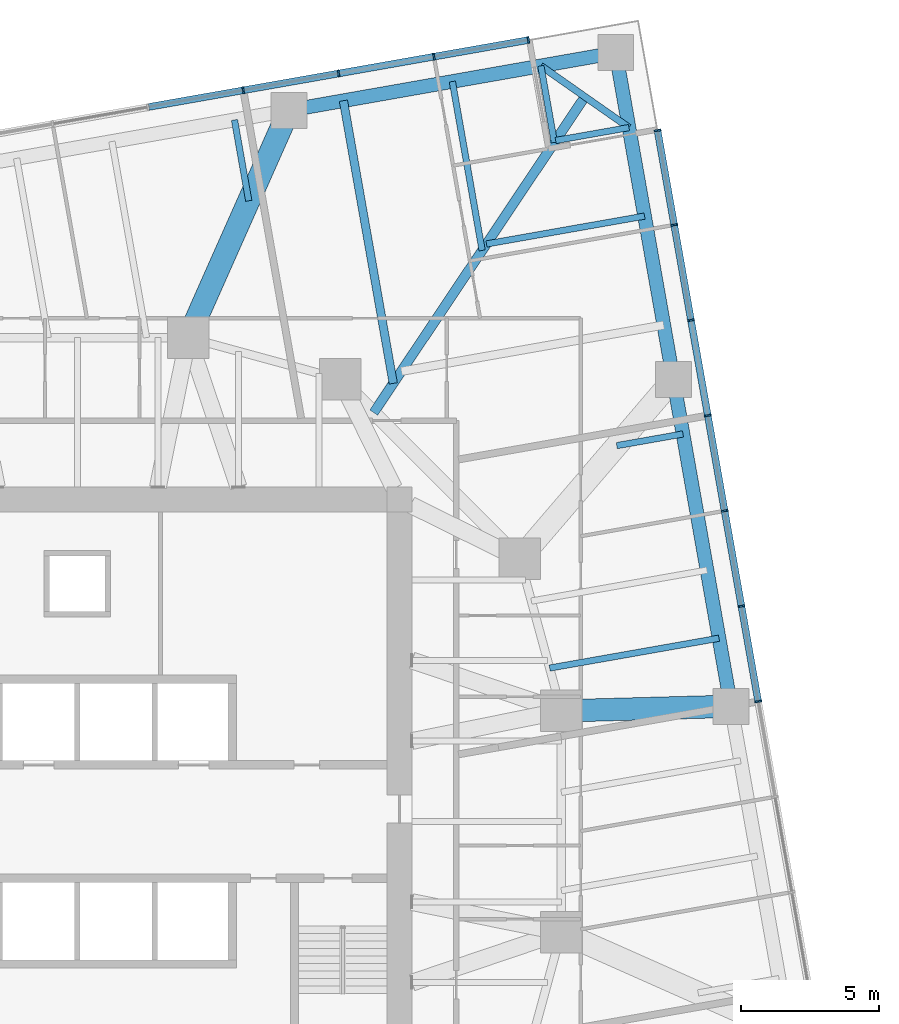
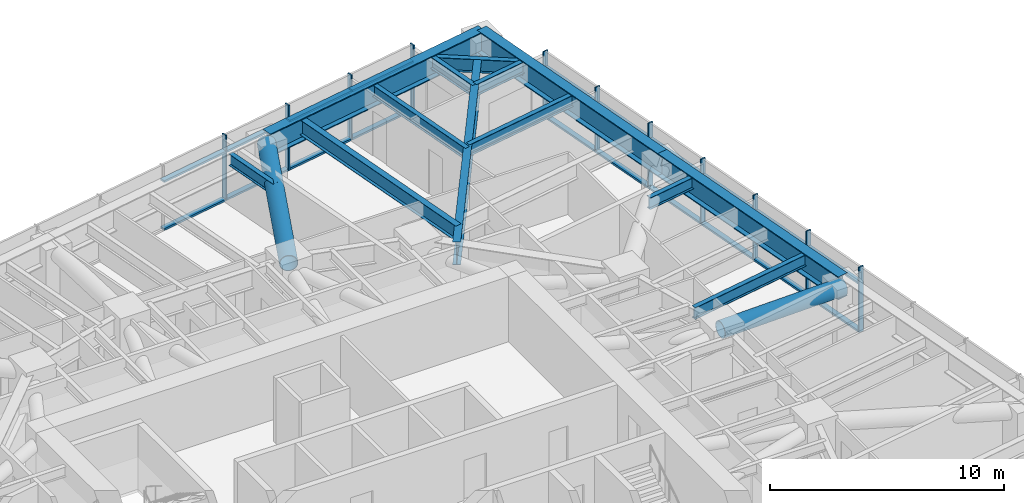
# One storey, part 8 of 17: 33 members, 13 beams, 2 elements without a shape of their own.
"""IFC4 building model written with IfcOpenShell, lengths in metres."""

from ifc_helpers import new_model, si_unit, direction, frame, origin, origin_2d, place, context, subcontext, project, spatial, rectangle, hollow_circle, i_section, extrude, material, material_profile, profile_set, type_object, element, aggregate, save


model = new_model("IFC4")

# Units and contexts
model_context = context("Model", 3, precision=1e-05, world=origin(), true_north=direction((0.0, 1.0)))
body_context = subcontext(model_context, "Body", "Model", "MODEL_VIEW")
ifc_project = project(units=[si_unit("LENGTHUNIT", "METRE"), si_unit("AREAUNIT", "SQUARE_METRE"), si_unit("VOLUMEUNIT", "CUBIC_METRE"), si_unit("PLANEANGLEUNIT", "RADIAN"), si_unit("MASSUNIT", "GRAM", prefix="KILO")], contexts=[model_context])

# Site, building, storey
site_placement = place(None, origin())
site = spatial("IfcSite", under=ifc_project, at=site_placement, CompositionType="ELEMENT")
building_placement = place(site_placement, origin())
building = spatial("IfcBuilding", under=site, at=building_placement, Name="Torsade Residences", CompositionType="ELEMENT")
storey_placement = place(building_placement, frame((0.0, 0.0, 103.199951171875)))
storey = spatial("IfcBuildingStorey", under=building, at=storey_placement, Name="L28", CompositionType="ELEMENT", Elevation=103.199951171875)

# Beams
ifc_material_1 = material(Name="Steel grade 300", Category="steel")
ifc_material_profile_1 = material_profile(ifc_material_1, i_section(OverallWidth=0.35009765625, OverallDepth=1.199951171875, WebThickness=0.01611328125, FlangeThickness=0.028076171875, at=origin_2d()), Name="1200WB278")
ifc_profile_set_1 = profile_set([ifc_material_profile_1], Name="Steel grade 300")
beam_type_1 = type_object("IfcBeamType", Name="CORNER GIRDER 1200WB278", PredefinedType="BEAM", material=ifc_profile_set_1)
beam_1_placement = place(storey_placement, frame((58.3525390625, 56.2099609375, 2.60009765625), z_axis=(-0.555847594236, -0.831284218533, 0.0), x_axis=(0.831284218533, -0.555847594236, 0.0)))
element("IfcBeam", 1, at=beam_1_placement, inside=storey, type_object=beam_type_1, Name="Corner girder 09 L29", PredefinedType="BEAM", context=body_context, shape_type="SweptSolid", body=[
    extrude(i_section(OverallWidth=0.35009765625, OverallDepth=1.199951171875, WebThickness=0.01611328125, FlangeThickness=0.028076171875, at=origin_2d()), origin(), (0.0, 0.0, 1.0), 13.742431640625),
])
ifc_material_2 = material(Name="Steel grade 300", Category="steel")
ifc_material_profile_2 = material_profile(ifc_material_2, i_section(OverallWidth=0.25, OverallDepth=0.699951171875, WebThickness=0.010009765625, FlangeThickness=0.02001953125, at=origin_2d()), Name="700WB130")
ifc_profile_set_2 = profile_set([ifc_material_profile_2], Name="Steel grade 300")
beam_type_2 = type_object("IfcBeamType", Name="CORNER TRIMMER 700WB130", PredefinedType="BEAM", material=ifc_profile_set_2)
beam_2_placement = place(storey_placement, frame((56.759521484375, 57.325439453125, 2.85009765625), z_axis=(0.819152285145, -0.573576092373, 0.0), x_axis=(0.573576092373, 0.819152285145, 0.0)))
element("IfcBeam", 2, at=beam_2_placement, inside=storey, type_object=beam_type_2, Name="Corner trimmer 09 L29", PredefinedType="BEAM", context=body_context, shape_type="SweptSolid", body=[
    extrude(i_section(OverallWidth=0.25, OverallDepth=0.699951171875, WebThickness=0.010009765625, FlangeThickness=0.02001953125, at=origin_2d()), origin(), (0.0, 0.0, 1.0), 3.88916015625),
])

# Curtain wall, members
ifc_material_3 = material(Name="Aluminium and glass", Category="aluminium")
curtain_wall_type = type_object("IfcCurtainWallType", Name="FRITTED GLASS CURTAIN WALL LOW ZONE", PredefinedType="NOTDEFINED", material=ifc_material_3)
curtain_wall_1_placement = place(storey_placement, origin())
curtain_wall_1 = element("IfcCurtainWall", 3, at=curtain_wall_1_placement, inside=storey, type_object=curtain_wall_type, Name="Curtain wall L28 face 4", PredefinedType="NOTDEFINED")
ifc_material_4 = material(Name="Aluminium mullion", Category="aluminium")
ifc_material_profile_3 = material_profile(ifc_material_4, rectangle(XDim=0.25, YDim=0.06494140625, at=origin_2d()), Name="CURTAIN WALL MULLION 250x65")
ifc_profile_set_3 = profile_set([ifc_material_profile_3], Name="Aluminium mullion")
member_type_1 = type_object("IfcMemberType", Name="CURTAIN WALL MULLION 250x65", PredefinedType="MULLION", material=ifc_profile_set_3)
member_1_placement = place(storey_placement, frame((64.6201171875, 34.34130859375, 0.0), z_axis=(0.0, 0.0, 1.0), x_axis=(-0.984807750372, -0.173648192638, 0.0)))
member_1 = element("IfcMember", 4, at=member_1_placement, type_object=member_type_1, Name="Mullion 7", PredefinedType="MULLION", context=body_context, shape_type="SweptSolid", body=[
    extrude(rectangle(XDim=0.25, YDim=0.06494140625, at=origin_2d()), origin(), (0.0, 0.0, 1.0), 3.400146484375),
])
member_2_placement = place(storey_placement, frame((64.012451171875, 37.7880859375, 0.0), z_axis=(0.0, 0.0, 1.0), x_axis=(-0.984807750372, -0.173648192638, 0.0)))
member_2 = element("IfcMember", 5, at=member_2_placement, type_object=member_type_1, Name="Mullion 8", PredefinedType="MULLION", context=body_context, shape_type="SweptSolid", body=[
    extrude(rectangle(XDim=0.25, YDim=0.06494140625, at=origin_2d()), origin(), (0.0, 0.0, 1.0), 3.400146484375),
])
member_3_placement = place(storey_placement, frame((63.404541015625, 41.23486328125, 0.0), z_axis=(0.0, 0.0, 1.0), x_axis=(-0.984807750372, -0.173648192638, 0.0)))
member_3 = element("IfcMember", 6, at=member_3_placement, type_object=member_type_1, Name="Mullion 9", PredefinedType="MULLION", context=body_context, shape_type="SweptSolid", body=[
    extrude(rectangle(XDim=0.25, YDim=0.06494140625, at=origin_2d()), origin(), (0.0, 0.0, 1.0), 3.400146484375),
])
member_4_placement = place(storey_placement, frame((62.796875, 44.681640625, 0.0), z_axis=(0.0, 0.0, 1.0), x_axis=(-0.984807750372, -0.173648192638, 0.0)))
member_4 = element("IfcMember", 7, at=member_4_placement, type_object=member_type_1, Name="Mullion 10", PredefinedType="MULLION", context=body_context, shape_type="SweptSolid", body=[
    extrude(rectangle(XDim=0.25, YDim=0.06494140625, at=origin_2d()), origin(), (0.0, 0.0, 1.0), 3.400146484375),
])
member_5_placement = place(storey_placement, frame((62.189208984375, 48.12841796875, 0.0), z_axis=(0.0, 0.0, 1.0), x_axis=(-0.984807750372, -0.173648192638, 0.0)))
member_5 = element("IfcMember", 8, at=member_5_placement, type_object=member_type_1, Name="Mullion 11", PredefinedType="MULLION", context=body_context, shape_type="SweptSolid", body=[
    extrude(rectangle(XDim=0.25, YDim=0.06494140625, at=origin_2d()), origin(), (0.0, 0.0, 1.0), 3.400146484375),
])
member_6_placement = place(storey_placement, frame((61.581298828125, 51.575439453125, 0.0), z_axis=(0.0, 0.0, 1.0), x_axis=(-0.984807750372, -0.173648192638, 0.0)))
member_6 = element("IfcMember", 9, at=member_6_placement, type_object=member_type_1, Name="Mullion 12", PredefinedType="MULLION", context=body_context, shape_type="SweptSolid", body=[
    extrude(rectangle(XDim=0.25, YDim=0.06494140625, at=origin_2d()), origin(), (0.0, 0.0, 1.0), 3.400146484375),
])
member_7_placement = place(storey_placement, frame((60.979248046875, 54.990234375, 0.0), z_axis=(0.0, 0.0, 1.0), x_axis=(-0.984807750372, -0.173648192638, 0.0)))
member_7 = element("IfcMember", 10, at=member_7_placement, type_object=member_type_1, Name="Mullion 13", PredefinedType="MULLION", context=body_context, shape_type="SweptSolid", body=[
    extrude(rectangle(XDim=0.25, YDim=0.06494140625, at=origin_2d()), origin(), (0.0, 0.0, 1.0), 3.400146484375),
])

curtain_wall_2_placement = place(storey_placement, origin())
curtain_wall_2 = element("IfcCurtainWall", 11, at=curtain_wall_2_placement, inside=storey, type_object=curtain_wall_type, Name="Curtain wall L28 face 7", PredefinedType="NOTDEFINED")
member_8_placement = place(storey_placement, frame((56.307861328125, 58.26123046875, 0.0), z_axis=(0.0, 0.0, 1.0), x_axis=(0.173648192638, -0.984807750372, 0.0)))
member_8 = element("IfcMember", 12, at=member_8_placement, type_object=member_type_1, Name="Mullion 1", PredefinedType="MULLION", context=body_context, shape_type="SweptSolid", body=[
    extrude(rectangle(XDim=0.25, YDim=0.06494140625, at=origin_2d()), origin(), (0.0, 0.0, 1.0), 3.400146484375),
])
member_9_placement = place(storey_placement, frame((52.892822265625, 57.658935546875, 0.0), z_axis=(0.0, 0.0, 1.0), x_axis=(0.173648192638, -0.984807750372, 0.0)))
member_9 = element("IfcMember", 13, at=member_9_placement, type_object=member_type_1, Name="Mullion 2", PredefinedType="MULLION", context=body_context, shape_type="SweptSolid", body=[
    extrude(rectangle(XDim=0.25, YDim=0.06494140625, at=origin_2d()), origin(), (0.0, 0.0, 1.0), 3.400146484375),
])
member_10_placement = place(storey_placement, frame((49.446044921875, 57.05126953125, 0.0), z_axis=(0.0, 0.0, 1.0), x_axis=(0.173648192638, -0.984807750372, 0.0)))
member_10 = element("IfcMember", 14, at=member_10_placement, type_object=member_type_1, Name="Mullion 3", PredefinedType="MULLION", context=body_context, shape_type="SweptSolid", body=[
    extrude(rectangle(XDim=0.25, YDim=0.06494140625, at=origin_2d()), origin(), (0.0, 0.0, 1.0), 3.400146484375),
])
member_11_placement = place(storey_placement, frame((45.999267578125, 56.443603515625, 0.0), z_axis=(0.0, 0.0, 1.0), x_axis=(0.173648192638, -0.984807750372, 0.0)))
member_11 = element("IfcMember", 15, at=member_11_placement, type_object=member_type_1, Name="Mullion 4", PredefinedType="MULLION", context=body_context, shape_type="SweptSolid", body=[
    extrude(rectangle(XDim=0.25, YDim=0.06494140625, at=origin_2d()), origin(), (0.0, 0.0, 1.0), 3.400146484375),
])

# Member
ifc_material_5 = material(Name="Aluminium transom", Category="aluminium")
ifc_material_profile_4 = material_profile(ifc_material_5, rectangle(XDim=0.25, YDim=0.10009765625, at=origin_2d()), Name="CURTAIN WALL TRANSOM 250x100")
ifc_profile_set_4 = profile_set([ifc_material_profile_4], Name="Aluminium transom")
member_type_2 = type_object("IfcMemberType", Name="CURTAIN WALL TRANSOM 250x100", PredefinedType="USERDEFINED", material=ifc_profile_set_4)
member_12_placement = place(storey_placement, frame((64.614501953125, 34.373291015625, 0.050048828125), z_axis=(-0.17363531196, 0.984810021497, 0.0), x_axis=(-0.984810021497, -0.17363531196, 0.0)))
member_12 = element("IfcMember", 16, at=member_12_placement, type_object=member_type_2, Name="Transom 7.1", ObjectType="TRANSOM", PredefinedType="USERDEFINED", context=body_context, shape_type="SweptSolid", body=[
    extrude(rectangle(XDim=0.25, YDim=0.10009765625, at=origin_2d()), origin(), (0.0, 0.0, 1.0), 3.43505859375),
])

member_13_placement = place(storey_placement, frame((64.614501953125, 34.373291015625, 2.550048828125), z_axis=(-0.17363531196, 0.984810021497, 0.0), x_axis=(-0.984810021497, -0.17363531196, 0.0)))
member_13 = element("IfcMember", 17, at=member_13_placement, type_object=member_type_2, Name="Transom 7.2", ObjectType="TRANSOM", PredefinedType="USERDEFINED", context=body_context, shape_type="SweptSolid", body=[
    extrude(rectangle(XDim=0.25, YDim=0.10009765625, at=origin_2d()), origin(), (0.0, 0.0, 1.0), 3.43505859375),
])

member_14_placement = place(storey_placement, frame((64.0068359375, 37.820068359375, 0.050048828125), z_axis=(-0.17363531196, 0.984810021497, 0.0), x_axis=(-0.984810021497, -0.17363531196, 0.0)))
member_14 = element("IfcMember", 18, at=member_14_placement, type_object=member_type_2, Name="Transom 8.1", ObjectType="TRANSOM", PredefinedType="USERDEFINED", context=body_context, shape_type="SweptSolid", body=[
    extrude(rectangle(XDim=0.25, YDim=0.10009765625, at=origin_2d()), origin(), (0.0, 0.0, 1.0), 3.43505859375),
])

member_15_placement = place(storey_placement, frame((64.0068359375, 37.820068359375, 2.550048828125), z_axis=(-0.17363531196, 0.984810021497, 0.0), x_axis=(-0.984810021497, -0.17363531196, 0.0)))
member_15 = element("IfcMember", 19, at=member_15_placement, type_object=member_type_2, Name="Transom 8.2", ObjectType="TRANSOM", PredefinedType="USERDEFINED", context=body_context, shape_type="SweptSolid", body=[
    extrude(rectangle(XDim=0.25, YDim=0.10009765625, at=origin_2d()), origin(), (0.0, 0.0, 1.0), 3.43505859375),
])

member_16_placement = place(storey_placement, frame((63.39892578125, 41.266845703125, 0.050048828125), z_axis=(-0.17363531196, 0.984810021497, 0.0), x_axis=(-0.984810021497, -0.17363531196, 0.0)))
member_16 = element("IfcMember", 20, at=member_16_placement, type_object=member_type_2, Name="Transom 9.1", ObjectType="TRANSOM", PredefinedType="USERDEFINED", context=body_context, shape_type="SweptSolid", body=[
    extrude(rectangle(XDim=0.25, YDim=0.10009765625, at=origin_2d()), origin(), (0.0, 0.0, 1.0), 3.43505859375),
])

member_17_placement = place(storey_placement, frame((63.39892578125, 41.266845703125, 2.550048828125), z_axis=(-0.17363531196, 0.984810021497, 0.0), x_axis=(-0.984810021497, -0.17363531196, 0.0)))
member_17 = element("IfcMember", 21, at=member_17_placement, type_object=member_type_2, Name="Transom 9.2", ObjectType="TRANSOM", PredefinedType="USERDEFINED", context=body_context, shape_type="SweptSolid", body=[
    extrude(rectangle(XDim=0.25, YDim=0.10009765625, at=origin_2d()), origin(), (0.0, 0.0, 1.0), 3.43505859375),
])

member_18_placement = place(storey_placement, frame((62.791259765625, 44.713623046875, 0.050048828125), z_axis=(-0.17363531196, 0.984810021497, 0.0), x_axis=(-0.984810021497, -0.17363531196, 0.0)))
member_18 = element("IfcMember", 22, at=member_18_placement, type_object=member_type_2, Name="Transom 10.1", ObjectType="TRANSOM", PredefinedType="USERDEFINED", context=body_context, shape_type="SweptSolid", body=[
    extrude(rectangle(XDim=0.25, YDim=0.10009765625, at=origin_2d()), origin(), (0.0, 0.0, 1.0), 3.43505859375),
])

member_19_placement = place(storey_placement, frame((62.791259765625, 44.713623046875, 2.550048828125), z_axis=(-0.17363531196, 0.984810021497, 0.0), x_axis=(-0.984810021497, -0.17363531196, 0.0)))
member_19 = element("IfcMember", 23, at=member_19_placement, type_object=member_type_2, Name="Transom 10.2", ObjectType="TRANSOM", PredefinedType="USERDEFINED", context=body_context, shape_type="SweptSolid", body=[
    extrude(rectangle(XDim=0.25, YDim=0.10009765625, at=origin_2d()), origin(), (0.0, 0.0, 1.0), 3.43505859375),
])

member_20_placement = place(storey_placement, frame((62.18359375, 48.160400390625, 0.050048828125), z_axis=(-0.173704242465, 0.98479786563, 0.0), x_axis=(-0.98479786563, -0.173704242465, 0.0)))
member_20 = element("IfcMember", 24, at=member_20_placement, type_object=member_type_2, Name="Transom 11.1", ObjectType="TRANSOM", PredefinedType="USERDEFINED", context=body_context, shape_type="SweptSolid", body=[
    extrude(rectangle(XDim=0.25, YDim=0.10009765625, at=origin_2d()), origin(), (0.0, 0.0, 1.0), 3.43505859375),
])

member_21_placement = place(storey_placement, frame((62.18359375, 48.160400390625, 2.550048828125), z_axis=(-0.173704242465, 0.98479786563, 0.0), x_axis=(-0.98479786563, -0.173704242465, 0.0)))
member_21 = element("IfcMember", 25, at=member_21_placement, type_object=member_type_2, Name="Transom 11.2", ObjectType="TRANSOM", PredefinedType="USERDEFINED", context=body_context, shape_type="SweptSolid", body=[
    extrude(rectangle(XDim=0.25, YDim=0.10009765625, at=origin_2d()), origin(), (0.0, 0.0, 1.0), 3.43505859375),
])

member_22_placement = place(storey_placement, frame((61.57568359375, 51.607421875, 0.050048828125), z_axis=(-0.173642067011, 0.984808830466, 0.0), x_axis=(-0.984808830466, -0.173642067011, 0.0)))
member_22 = element("IfcMember", 26, at=member_22_placement, type_object=member_type_2, Name="Transom 12.1", ObjectType="TRANSOM", PredefinedType="USERDEFINED", context=body_context, shape_type="SweptSolid", body=[
    extrude(rectangle(XDim=0.25, YDim=0.10009765625, at=origin_2d()), origin(), (0.0, 0.0, 1.0), 3.402587890625),
])

member_23_placement = place(storey_placement, frame((61.57568359375, 51.607421875, 2.550048828125), z_axis=(-0.173642067011, 0.984808830466, 0.0), x_axis=(-0.984808830466, -0.173642067011, 0.0)))
member_23 = element("IfcMember", 27, at=member_23_placement, type_object=member_type_2, Name="Transom 12.2", ObjectType="TRANSOM", PredefinedType="USERDEFINED", context=body_context, shape_type="SweptSolid", body=[
    extrude(rectangle(XDim=0.25, YDim=0.10009765625, at=origin_2d()), origin(), (0.0, 0.0, 1.0), 3.402587890625),
])

aggregate(curtain_wall_1, [member_1, member_2, member_3, member_4, member_5, member_6, member_7, member_12, member_13, member_14, member_15, member_16, member_17, member_18, member_19, member_20, member_21, member_22, member_23])

member_24_placement = place(storey_placement, frame((56.275634765625, 58.255615234375, 0.050048828125), z_axis=(-0.984806666774, -0.173654337918, 0.0), x_axis=(0.173654337918, -0.984806666774, 0.0)))
member_24 = element("IfcMember", 28, at=member_24_placement, type_object=member_type_2, Name="Transom 1.1", ObjectType="TRANSOM", PredefinedType="USERDEFINED", context=body_context, shape_type="SweptSolid", body=[
    extrude(rectangle(XDim=0.25, YDim=0.10009765625, at=origin_2d()), origin(), (0.0, 0.0, 1.0), 3.40234375),
])

member_25_placement = place(storey_placement, frame((56.275634765625, 58.255615234375, 2.550048828125), z_axis=(-0.984806666774, -0.173654337918, 0.0), x_axis=(0.173654337918, -0.984806666774, 0.0)))
member_25 = element("IfcMember", 29, at=member_25_placement, type_object=member_type_2, Name="Transom 1.2", ObjectType="TRANSOM", PredefinedType="USERDEFINED", context=body_context, shape_type="SweptSolid", body=[
    extrude(rectangle(XDim=0.25, YDim=0.10009765625, at=origin_2d()), origin(), (0.0, 0.0, 1.0), 3.40234375),
])

member_26_placement = place(storey_placement, frame((52.86083984375, 57.6533203125, 0.050048828125), z_axis=(-0.984810021497, -0.17363531196, 0.0), x_axis=(0.17363531196, -0.984810021497, 0.0)))
member_26 = element("IfcMember", 30, at=member_26_placement, type_object=member_type_2, Name="Transom 2.1", ObjectType="TRANSOM", PredefinedType="USERDEFINED", context=body_context, shape_type="SweptSolid", body=[
    extrude(rectangle(XDim=0.25, YDim=0.10009765625, at=origin_2d()), origin(), (0.0, 0.0, 1.0), 3.43505859375),
])

member_27_placement = place(storey_placement, frame((52.86083984375, 57.6533203125, 2.550048828125), z_axis=(-0.984810021497, -0.17363531196, 0.0), x_axis=(0.17363531196, -0.984810021497, 0.0)))
member_27 = element("IfcMember", 31, at=member_27_placement, type_object=member_type_2, Name="Transom 2.2", ObjectType="TRANSOM", PredefinedType="USERDEFINED", context=body_context, shape_type="SweptSolid", body=[
    extrude(rectangle(XDim=0.25, YDim=0.10009765625, at=origin_2d()), origin(), (0.0, 0.0, 1.0), 3.43505859375),
])

member_28_placement = place(storey_placement, frame((49.4140625, 57.045654296875, 0.050048828125), z_axis=(-0.984810021497, -0.17363531196, 0.0), x_axis=(0.17363531196, -0.984810021497, 0.0)))
member_28 = element("IfcMember", 32, at=member_28_placement, type_object=member_type_2, Name="Transom 3.1", ObjectType="TRANSOM", PredefinedType="USERDEFINED", context=body_context, shape_type="SweptSolid", body=[
    extrude(rectangle(XDim=0.25, YDim=0.10009765625, at=origin_2d()), origin(), (0.0, 0.0, 1.0), 3.43505859375),
])

member_29_placement = place(storey_placement, frame((49.4140625, 57.045654296875, 2.550048828125), z_axis=(-0.984810021497, -0.17363531196, 0.0), x_axis=(0.17363531196, -0.984810021497, 0.0)))
member_29 = element("IfcMember", 33, at=member_29_placement, type_object=member_type_2, Name="Transom 3.2", ObjectType="TRANSOM", PredefinedType="USERDEFINED", context=body_context, shape_type="SweptSolid", body=[
    extrude(rectangle(XDim=0.25, YDim=0.10009765625, at=origin_2d()), origin(), (0.0, 0.0, 1.0), 3.43505859375),
])

member_30_placement = place(storey_placement, frame((45.96728515625, 56.437744140625, 0.050048828125), z_axis=(-0.984810021497, -0.17363531196, 0.0), x_axis=(0.17363531196, -0.984810021497, 0.0)))
member_30 = element("IfcMember", 34, at=member_30_placement, type_object=member_type_2, Name="Transom 4.1", ObjectType="TRANSOM", PredefinedType="USERDEFINED", context=body_context, shape_type="SweptSolid", body=[
    extrude(rectangle(XDim=0.25, YDim=0.10009765625, at=origin_2d()), origin(), (0.0, 0.0, 1.0), 3.43505859375),
])

member_31_placement = place(storey_placement, frame((45.96728515625, 56.437744140625, 2.550048828125), z_axis=(-0.984810021497, -0.17363531196, 0.0), x_axis=(0.17363531196, -0.984810021497, 0.0)))
member_31 = element("IfcMember", 35, at=member_31_placement, type_object=member_type_2, Name="Transom 4.2", ObjectType="TRANSOM", PredefinedType="USERDEFINED", context=body_context, shape_type="SweptSolid", body=[
    extrude(rectangle(XDim=0.25, YDim=0.10009765625, at=origin_2d()), origin(), (0.0, 0.0, 1.0), 3.43505859375),
])

aggregate(curtain_wall_2, [member_8, member_9, member_10, member_11, member_24, member_25, member_26, member_27, member_28, member_29, member_30, member_31])

# Beams
ifc_material_6 = material(Name="Steel grade 300", Category="steel")
ifc_material_profile_5 = material_profile(ifc_material_6, i_section(OverallWidth=0.22900390625, OverallDepth=0.612060546875, WebThickness=0.011962890625, FlangeThickness=0.01953125, FilletRadius=0.013916015625, at=origin_2d()), Name="610UB125")
ifc_profile_set_5 = profile_set([ifc_material_profile_5], Name="Steel grade 300")
beam_type_3 = type_object("IfcBeamType", Name="SECONDARY BEAM 610UB125", PredefinedType="JOIST", material=ifc_profile_set_5)
beam_3_placement = place(storey_placement, frame((63.201171875, 36.629638671875, 2.89404296875), z_axis=(-0.984806474989, -0.173655425542, 0.0), x_axis=(0.173655425542, -0.984806474989, 0.0)))
element("IfcBeam", 36, at=beam_3_placement, inside=storey, type_object=beam_type_3, Name="Floor beam FE07 L29", PredefinedType="JOIST", context=body_context, shape_type="SweptSolid", body=[
    extrude(i_section(OverallWidth=0.22900390625, OverallDepth=0.612060546875, WebThickness=0.011962890625, FlangeThickness=0.01953125, FilletRadius=0.013916015625, at=origin_2d()), origin(), (0.0, 0.0, 1.0), 6.21826171875),
])
beam_4_placement = place(storey_placement, frame((61.89892578125, 44.015625, 2.89404296875), z_axis=(-0.984800736156, -0.173687967535, 0.0), x_axis=(0.173687967535, -0.984800736156, 0.0)))
element("IfcBeam", 37, at=beam_4_placement, inside=storey, type_object=beam_type_3, Name="Floor beam FE09 L29", PredefinedType="JOIST", context=body_context, shape_type="SweptSolid", body=[
    extrude(i_section(OverallWidth=0.22900390625, OverallDepth=0.612060546875, WebThickness=0.011962890625, FlangeThickness=0.01953125, FilletRadius=0.013916015625, at=origin_2d()), origin(), (0.0, 0.0, 1.0), 2.431640625),
])
beam_5_placement = place(storey_placement, frame((60.509765625, 51.89404296875, 2.89404296875), z_axis=(-0.984808104745, -0.17364618288, 0.0), x_axis=(0.17364618288, -0.984808104745, 0.0)))
element("IfcBeam", 38, at=beam_5_placement, inside=storey, type_object=beam_type_3, Name="Floor beam FE11 L29", PredefinedType="JOIST", context=body_context, shape_type="SweptSolid", body=[
    extrude(i_section(OverallWidth=0.22900390625, OverallDepth=0.612060546875, WebThickness=0.011962890625, FlangeThickness=0.01953125, FilletRadius=0.013916015625, at=origin_2d()), origin(), (0.0, 0.0, 1.0), 5.80517578125),
])
beam_6_placement = place(storey_placement, frame((59.9453125, 55.0947265625, 2.89404296875), z_axis=(-0.984803637964, -0.173671513648, 0.0), x_axis=(0.173671513648, -0.984803637964, 0.0)))
element("IfcBeam", 39, at=beam_6_placement, inside=storey, type_object=beam_type_3, Name="Floor beam FE12 L29", PredefinedType="JOIST", context=body_context, shape_type="SweptSolid", body=[
    extrude(i_section(OverallWidth=0.22900390625, OverallDepth=0.612060546875, WebThickness=0.011962890625, FlangeThickness=0.01953125, FilletRadius=0.013916015625, at=origin_2d()), origin(), (0.0, 0.0, 1.0), 2.692138671875),
])
beam_7_placement = place(storey_placement, frame((56.759521484375, 57.325439453125, 2.89404296875), z_axis=(0.173646578627, -0.984808034965, 0.0), x_axis=(0.984808034965, 0.173646578627, 0.0)))
element("IfcBeam", 40, at=beam_7_placement, inside=storey, type_object=beam_type_3, Name="Floor beam FN01 L29", PredefinedType="JOIST", context=body_context, shape_type="SweptSolid", body=[
    extrude(i_section(OverallWidth=0.22900390625, OverallDepth=0.612060546875, WebThickness=0.011962890625, FlangeThickness=0.01953125, FilletRadius=0.013916015625, at=origin_2d()), origin(), (0.0, 0.0, 1.0), 2.810546875),
])
beam_8_placement = place(storey_placement, frame((53.55908203125, 56.760986328125, 2.89404296875), z_axis=(0.173646127458, -0.984808114517, 0.0), x_axis=(0.984808114517, 0.173646127458, 0.0)))
element("IfcBeam", 41, at=beam_8_placement, inside=storey, type_object=beam_type_3, Name="Floor beam FN02 L29", PredefinedType="JOIST", context=body_context, shape_type="SweptSolid", body=[
    extrude(i_section(OverallWidth=0.22900390625, OverallDepth=0.612060546875, WebThickness=0.011962890625, FlangeThickness=0.01953125, FilletRadius=0.013916015625, at=origin_2d()), origin(), (0.0, 0.0, 1.0), 6.203125),
])
beam_9_placement = place(storey_placement, frame((45.680419921875, 55.371826171875, 2.89404296875), z_axis=(0.17370564578, -0.984797618104, 0.0), x_axis=(0.984797618104, 0.17370564578, 0.0)))
element("IfcBeam", 42, at=beam_9_placement, inside=storey, type_object=beam_type_3, Name="Floor beam FN04 L29", PredefinedType="JOIST", context=body_context, shape_type="SweptSolid", body=[
    extrude(i_section(OverallWidth=0.22900390625, OverallDepth=0.612060546875, WebThickness=0.011962890625, FlangeThickness=0.01953125, FilletRadius=0.013916015625, at=origin_2d()), origin(), (0.0, 0.0, 1.0), 2.97119140625),
])
ifc_material_7 = material(Name="Steel grade 300", Category="steel")
ifc_material_profile_6 = material_profile(ifc_material_7, i_section(OverallWidth=0.300048828125, OverallDepth=0.800048828125, WebThickness=0.010009765625, FlangeThickness=0.02001953125, at=origin_2d()), Name="800WB146")
ifc_profile_set_6 = profile_set([ifc_material_profile_6], Name="Steel grade 300")
beam_type_4 = type_object("IfcBeamType", Name="SECONDARY BEAM 800WB146", PredefinedType="JOIST", material=ifc_profile_set_6)
beam_10_placement = place(storey_placement, frame((49.619873046875, 56.06640625, 2.800048828125), z_axis=(0.173641751202, -0.98480888615, 0.0), x_axis=(0.98480888615, 0.173641751202, 0.0)))
element("IfcBeam", 43, at=beam_10_placement, inside=storey, type_object=beam_type_4, Name="Floor beam FN03 L29", PredefinedType="JOIST", context=body_context, shape_type="SweptSolid", body=[
    extrude(i_section(OverallWidth=0.300048828125, OverallDepth=0.800048828125, WebThickness=0.010009765625, FlangeThickness=0.02001953125, at=origin_2d()), origin(), (0.0, 0.0, 1.0), 10.379150390625),
])

# Members
ifc_material_8 = material(Name="Steel grade 450", Category="steel")
ifc_material_profile_7 = material_profile(ifc_material_8, hollow_circle(Radius=0.406494140625, WallThickness=0.02490234375, at=origin_2d()), Name="813.0x25.0CHS")
ifc_profile_set_7 = profile_set([ifc_material_profile_7], Name="Steel grade 450")
member_type_3 = type_object("IfcMemberType", Name="TRANSFER FLOOR STRUT 813.0x25.0CHS", PredefinedType="STRUT", material=ifc_profile_set_7)
member_32_placement = place(storey_placement, frame((63.635498046875, 34.16748046875, 2.800048828125), z_axis=(-0.999627645955, -0.027286799774, 0.0), x_axis=(0.027286799774, -0.999627645955, 0.0)))
element("IfcMember", 44, at=member_32_placement, inside=storey, type_object=member_type_3, Name="Transfer floor strut TT3 bottom 07IR02", PredefinedType="STRUT", context=body_context, shape_type="SweptSolid", body=[
    extrude(hollow_circle(Radius=0.406494140625, WallThickness=0.02490234375, at=origin_2d()), origin(), (0.0, 0.0, 1.0), 6.1376953125),
])
member_33_placement = place(storey_placement, frame((47.650146484375, 55.71923828125, 2.800048828125), z_axis=(-0.405873976228, -0.913929053822, 0.0), x_axis=(0.913929053822, -0.405873976228, 0.0)))
element("IfcMember", 45, at=member_33_placement, inside=storey, type_object=member_type_3, Name="Transfer floor strut TT3 bottom 10IR05", PredefinedType="STRUT", context=body_context, shape_type="SweptSolid", body=[
    extrude(hollow_circle(Radius=0.406494140625, WallThickness=0.02490234375, at=origin_2d()), origin(), (0.0, 0.0, 1.0), 8.993408203125),
])

# Beams
ifc_material_9 = material(Name="Steel grade 350", Category="steel")
ifc_material_profile_8 = material_profile(ifc_material_9, i_section(OverallWidth=0.5, OverallDepth=1.199951171875, WebThickness=0.031982421875, FlangeThickness=0.050048828125, at=origin_2d()), Name="1200x500x50x32WPG")
ifc_profile_set_8 = profile_set([ifc_material_profile_8], Name="Steel grade 350")
beam_type_5 = type_object("IfcBeamType", Name="TRANSFER TRUSS CHORD 1200x500x50x32WPG", PredefinedType="USERDEFINED", material=ifc_profile_set_8)
beam_11_placement = place(storey_placement, frame((63.635498046875, 34.16748046875, 2.800048828125), z_axis=(-0.173662308598, 0.984805261243, 0.0), x_axis=(-0.984805261243, -0.173662308598, 0.0)))
element("IfcBeam", 46, at=beam_11_placement, inside=storey, type_object=beam_type_5, Name="Transfer truss TT3 bottom chord 07", ObjectType="TRANSFER TRUSS CHORD", PredefinedType="USERDEFINED", context=body_context, shape_type="SweptSolid", body=[
    extrude(i_section(OverallWidth=0.5, OverallDepth=1.199951171875, WebThickness=0.031982421875, FlangeThickness=0.050048828125, at=origin_2d()), origin(), (0.0, 0.0, 1.0), 12.000244140625),
])
for number, where, z_axis, x_axis, name in (
    (47, (61.551513671875, 45.9853515625, 2.800048828125), (-0.173646056486, 0.984808127031, 0.0), (-0.984808127031, -0.173646056486, 0.0), "Transfer truss TT3 bottom chord 08"),
    (48, (59.4677734375, 57.802978515625, 2.800048828125), (-0.984808127031, -0.173646056486, 0.0), (0.173646056486, -0.984808127031, 0.0), "Transfer truss TT3 bottom chord 09"),
):
    element("IfcBeam", number, at=place(storey_placement, frame(where, z_axis=z_axis, x_axis=x_axis)), inside=storey, type_object=beam_type_5, Name=name, ObjectType="TRANSFER TRUSS CHORD", PredefinedType="USERDEFINED", context=body_context, shape_type="SweptSolid", body=[
        extrude(i_section(OverallWidth=0.5, OverallDepth=1.199951171875, WebThickness=0.031982421875, FlangeThickness=0.050048828125, at=origin_2d()), origin(), (0.0, 0.0, 1.0), 12.0),
    ])

save(model, "model.ifc")
